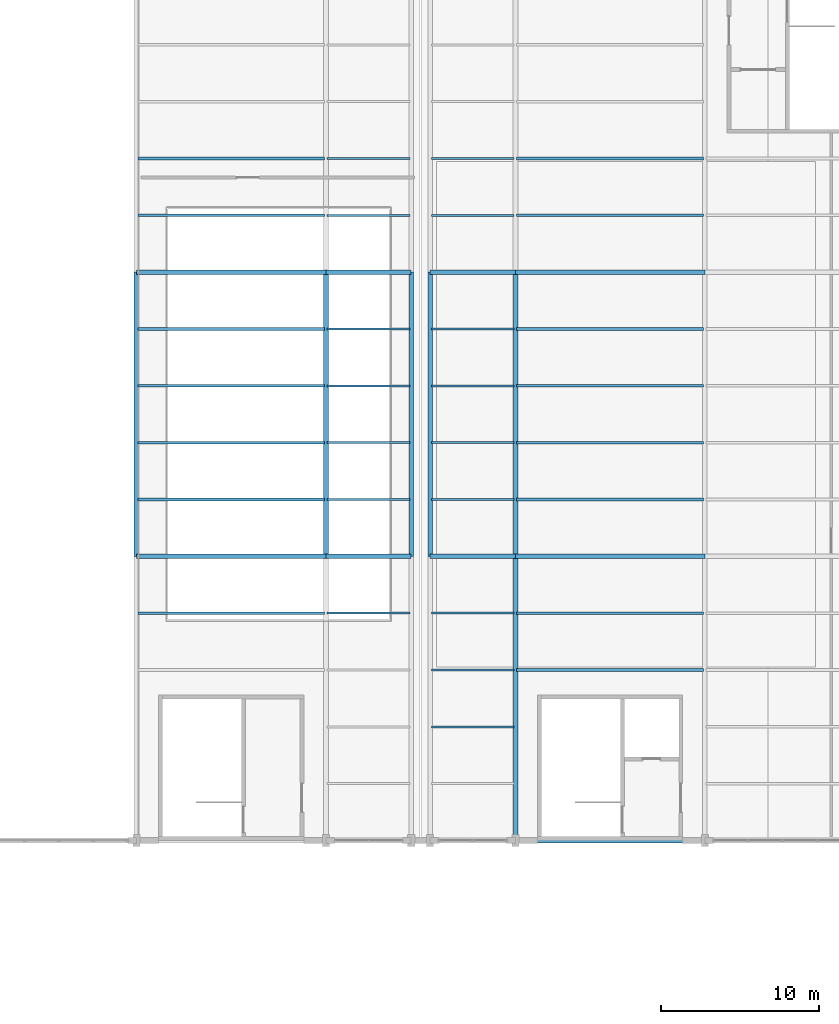
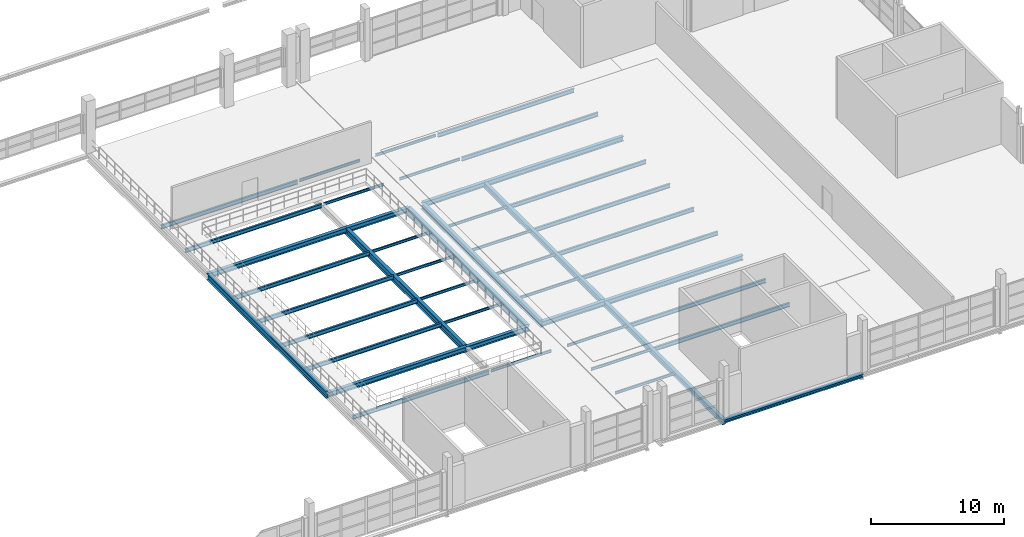
# One storey, part 34 of 86: 46 beams.
"""IFC4 building model written with IfcOpenShell, lengths in metres."""

from ifc_helpers import new_model, si_unit, direction, frame, origin, origin_2d, place, context, subcontext, project, spatial, i_section, extrude, material, material_profile, profile_set, type_object, element, save


model = new_model("IFC4")

# Units and contexts
model_context = context("Model", 3, precision=1e-05, world=origin(), true_north=direction((0.0, 1.0)))
body_context = subcontext(model_context, "Body", "Model", "MODEL_VIEW")
ifc_project = project(units=[si_unit("LENGTHUNIT", "METRE"), si_unit("AREAUNIT", "SQUARE_METRE"), si_unit("VOLUMEUNIT", "CUBIC_METRE"), si_unit("PLANEANGLEUNIT", "RADIAN"), si_unit("MASSUNIT", "GRAM", prefix="KILO")], contexts=[model_context])

# Site, building, storey
site_placement = place(None, origin())
site = spatial("IfcSite", under=ifc_project, at=site_placement, CompositionType="ELEMENT")
building_placement = place(site_placement, origin())
building = spatial("IfcBuilding", under=site, at=building_placement, Name="Zilviju Railside Exhibition Hall", CompositionType="ELEMENT")
storey_placement = place(building_placement, frame((0.0, 0.0, 12.60009765625)))
storey = spatial("IfcBuildingStorey", under=building, at=storey_placement, Name="L04", CompositionType="ELEMENT", Elevation=12.60009765625)

# Beams
ifc_material = material(Name="Steel S355J2", Category="steel")
ifc_material_profile_1 = material_profile(ifc_material, i_section(OverallWidth=0.300048828125, OverallDepth=0.2900390625, WebThickness=0.008544921875, FlangeThickness=0.013916015625, at=origin_2d()), Name="HEA 300")
ifc_profile_set_1 = profile_set([ifc_material_profile_1], Name="Steel S355J2")
beam_type_1 = type_object("IfcBeamType", Name="BM-HEA300", PredefinedType="SPANDREL", material=ifc_profile_set_1)
beam_1_placement = place(storey_placement, frame((180.0, 84.0, -0.47509765625), z_axis=(1.0, 0.0, 0.0), x_axis=(0.0, 1.0, 0.0)))
element("IfcBeam", 1, at=beam_1_placement, inside=storey, type_object=beam_type_1, Name="Primary Girder L04 Y=84.0 (180.0..192.0)", PredefinedType="SPANDREL", context=body_context, shape_type="SweptSolid", body=[
    extrude(i_section(OverallWidth=0.300048828125, OverallDepth=0.2900390625, WebThickness=0.008544921875, FlangeThickness=0.013916015625, at=origin_2d()), origin(), (0.0, 0.0, 1.0), 12.0),
])
ifc_material_profile_2 = material_profile(ifc_material, i_section(OverallWidth=0.300048828125, OverallDepth=0.43994140625, WebThickness=0.011474609375, FlangeThickness=0.02099609375, at=origin_2d()), Name="HEA 450")
ifc_profile_set_2 = profile_set([ifc_material_profile_2], Name="Steel S355J2")
beam_type_2 = type_object("IfcBeamType", Name="BM-HEA450", PredefinedType="BEAM", material=ifc_profile_set_2)
beam_2_placement = place(storey_placement, frame((156.0, 102.0, -0.550048828125), z_axis=(1.0, 0.0, 0.0), x_axis=(0.0, 1.0, 0.0)))
element("IfcBeam", 2, at=beam_2_placement, inside=storey, type_object=beam_type_2, Name="Primary Girder L04 Y=102.0 (156.0..168.0)", PredefinedType="BEAM", context=body_context, shape_type="SweptSolid", body=[
    extrude(i_section(OverallWidth=0.300048828125, OverallDepth=0.43994140625, WebThickness=0.011474609375, FlangeThickness=0.02099609375, at=origin_2d()), origin(), (0.0, 0.0, 1.0), 12.0),
])
for number, where, z_axis, x_axis, name in (
    (3, (168.0, 102.0, -0.550048828125), (1.0, 0.0, 0.0), (0.0, 1.0, 0.0), "Primary Girder L04 Y=102.0 (168.0..173.4)"),
    (4, (174.60009765625, 102.0, -0.550048828125), (1.0, 0.0, 0.0), (0.0, 1.0, 0.0), "Primary Girder L04 Y=102.0 (174.6..180.0)"),
):
    element("IfcBeam", number, at=place(storey_placement, frame(where, z_axis=z_axis, x_axis=x_axis)), inside=storey, type_object=beam_type_2, Name=name, PredefinedType="BEAM", context=body_context, shape_type="SweptSolid", body=[
        extrude(i_section(OverallWidth=0.300048828125, OverallDepth=0.43994140625, WebThickness=0.011474609375, FlangeThickness=0.02099609375, at=origin_2d()), origin(), (0.0, 0.0, 1.0), 5.39990234375),
    ])
for number, where, z_axis, x_axis, name in (
    (5, (180.0, 102.0, -0.550048828125), (1.0, 0.0, 0.0), (0.0, 1.0, 0.0), "Primary Girder L04 Y=102.0 (180.0..192.0)"),
    (6, (156.0, 120.0, -0.550048828125), (1.0, 0.0, 0.0), (0.0, 1.0, 0.0), "Primary Girder L04 Y=120.0 (156.0..168.0)"),
):
    element("IfcBeam", number, at=place(storey_placement, frame(where, z_axis=z_axis, x_axis=x_axis)), inside=storey, type_object=beam_type_2, Name=name, PredefinedType="BEAM", context=body_context, shape_type="SweptSolid", body=[
        extrude(i_section(OverallWidth=0.300048828125, OverallDepth=0.43994140625, WebThickness=0.011474609375, FlangeThickness=0.02099609375, at=origin_2d()), origin(), (0.0, 0.0, 1.0), 12.0),
    ])
for number, where, z_axis, x_axis, name in (
    (7, (168.0, 120.0, -0.550048828125), (1.0, 0.0, 0.0), (0.0, 1.0, 0.0), "Primary Girder L04 Y=120.0 (168.0..173.4)"),
    (8, (174.60009765625, 120.0, -0.550048828125), (1.0, 0.0, 0.0), (0.0, 1.0, 0.0), "Primary Girder L04 Y=120.0 (174.6..180.0)"),
):
    element("IfcBeam", number, at=place(storey_placement, frame(where, z_axis=z_axis, x_axis=x_axis)), inside=storey, type_object=beam_type_2, Name=name, PredefinedType="BEAM", context=body_context, shape_type="SweptSolid", body=[
        extrude(i_section(OverallWidth=0.300048828125, OverallDepth=0.43994140625, WebThickness=0.011474609375, FlangeThickness=0.02099609375, at=origin_2d()), origin(), (0.0, 0.0, 1.0), 5.39990234375),
    ])
beam_3_placement = place(storey_placement, frame((180.0, 120.0, -0.550048828125), z_axis=(1.0, 0.0, 0.0), x_axis=(0.0, 1.0, 0.0)))
element("IfcBeam", 9, at=beam_3_placement, inside=storey, type_object=beam_type_2, Name="Primary Girder L04 Y=120.0 (180.0..192.0)", PredefinedType="BEAM", context=body_context, shape_type="SweptSolid", body=[
    extrude(i_section(OverallWidth=0.300048828125, OverallDepth=0.43994140625, WebThickness=0.011474609375, FlangeThickness=0.02099609375, at=origin_2d()), origin(), (0.0, 0.0, 1.0), 12.0),
])
ifc_material_profile_3 = material_profile(ifc_material, i_section(OverallWidth=0.300048828125, OverallDepth=0.5, WebThickness=0.014404296875, FlangeThickness=0.028076171875, at=origin_2d()), Name="HEB 500")
ifc_profile_set_3 = profile_set([ifc_material_profile_3], Name="Steel S355J2")
beam_type_3 = type_object("IfcBeamType", Name="BM-HEB500", PredefinedType="BEAM", material=ifc_profile_set_3)
for number, where, z_axis, x_axis, name in (
    (10, (180.0, 84.0, -0.580078125), (0.0, 1.0, 0.0), (-1.0, 0.0, 0.0), "Transverse Girder L04 X=180.0 (84.0..102.0)"),
    (11, (180.0, 102.0, -0.580078125), (0.0, 1.0, 0.0), (-1.0, 0.0, 0.0), "Transverse Girder L04 X=180.0 (102.0..120.0)"),
):
    element("IfcBeam", number, at=place(storey_placement, frame(where, z_axis=z_axis, x_axis=x_axis)), inside=storey, type_object=beam_type_3, Name=name, PredefinedType="BEAM", context=body_context, shape_type="SweptSolid", body=[
        extrude(i_section(OverallWidth=0.300048828125, OverallDepth=0.5, WebThickness=0.014404296875, FlangeThickness=0.028076171875, at=origin_2d()), origin(), (0.0, 0.0, 1.0), 18.0),
    ])
ifc_material_profile_4 = material_profile(ifc_material, i_section(OverallWidth=0.300048828125, OverallDepth=0.60009765625, WebThickness=0.015380859375, FlangeThickness=0.030029296875, at=origin_2d()), Name="HEB 600")
ifc_profile_set_4 = profile_set([ifc_material_profile_4], Name="Steel S355J2")
beam_type_4 = type_object("IfcBeamType", Name="BM-HEB600", PredefinedType="BEAM", material=ifc_profile_set_4)
for number, where, z_axis, x_axis, name in (
    (12, (156.0, 102.0, -0.630126953125), (0.0, 1.0, 0.0), (-1.0, 0.0, 0.0), "Transverse Girder L04 X=156.0 (102.0..120.0)"),
    (13, (168.0, 102.0, -0.630126953125), (0.0, 1.0, 0.0), (-1.0, 0.0, 0.0), "Transverse Girder L04 X=168.0 (102.0..120.0)"),
    (14, (173.39990234375, 102.0, -0.630126953125), (0.0, 1.0, 0.0), (-1.0, 0.0, 0.0), "Transverse Girder L04 X=173.4 (102.0..120.0)"),
    (15, (174.60009765625, 102.0, -0.630126953125), (0.0, 1.0, 0.0), (-1.0, 0.0, 0.0), "Transverse Girder L04 X=174.6 (102.0..120.0)"),
):
    element("IfcBeam", number, at=place(storey_placement, frame(where, z_axis=z_axis, x_axis=x_axis)), inside=storey, type_object=beam_type_4, Name=name, PredefinedType="BEAM", context=body_context, shape_type="SweptSolid", body=[
        extrude(i_section(OverallWidth=0.300048828125, OverallDepth=0.60009765625, WebThickness=0.015380859375, FlangeThickness=0.030029296875, at=origin_2d()), origin(), (0.0, 0.0, 1.0), 18.0),
    ])
ifc_material_profile_5 = material_profile(ifc_material, i_section(OverallWidth=0.1201171875, OverallDepth=0.239990234375, WebThickness=0.006103515625, FlangeThickness=0.009765625, at=origin_2d()), Name="IPE 240")
ifc_profile_set_5 = profile_set([ifc_material_profile_5], Name="Steel S355J2")
beam_type_5 = type_object("IfcBeamType", Name="BM-IPE240", PredefinedType="JOIST", material=ifc_profile_set_5)
for number, where, z_axis, x_axis, name in (
    (16, (168.080078125, 98.39990234375, -0.4501953125), (1.0, 0.0, 0.0), (0.0, 1.0, 0.0), "Composite Floor Joist L04 Y=98.40 (168.0..173.4)"),
    (17, (168.080078125, 105.60009765625, -0.4501953125), (1.0, 0.0, 0.0), (0.0, 1.0, 0.0), "Composite Floor Joist L04 Y=105.60 (168.0..173.4)"),
    (18, (168.080078125, 109.199951171875, -0.4501953125), (1.0, 0.0, 0.0), (0.0, 1.0, 0.0), "Composite Floor Joist L04 Y=109.20 (168.0..173.4)"),
    (19, (168.080078125, 112.800048828125, -0.4501953125), (1.0, 0.0, 0.0), (0.0, 1.0, 0.0), "Composite Floor Joist L04 Y=112.80 (168.0..173.4)"),
    (20, (168.080078125, 116.39990234375, -0.4501953125), (1.0, 0.0, 0.0), (0.0, 1.0, 0.0), "Composite Floor Joist L04 Y=116.40 (168.0..173.4)"),
    (21, (168.080078125, 123.60009765625, -0.4501953125), (1.0, 0.0, 0.0), (0.0, 1.0, 0.0), "Composite Floor Joist L04 Y=123.60 (168.0..173.4)"),
    (22, (168.080078125, 127.199951171875, -0.4501953125), (1.0, 0.0, 0.0), (0.0, 1.0, 0.0), "Composite Floor Joist L04 Y=127.20 (168.0..173.4)"),
    (23, (174.679931640625, 91.199951171875, -0.4501953125), (1.0, 0.0, 0.0), (0.0, 1.0, 0.0), "Composite Floor Joist L04 Y=91.20 (174.6..180.0)"),
    (24, (174.679931640625, 94.800048828125, -0.4501953125), (1.0, 0.0, 0.0), (0.0, 1.0, 0.0), "Composite Floor Joist L04 Y=94.80 (174.6..180.0)"),
    (25, (174.679931640625, 98.39990234375, -0.4501953125), (1.0, 0.0, 0.0), (0.0, 1.0, 0.0), "Composite Floor Joist L04 Y=98.40 (174.6..180.0)"),
    (26, (174.679931640625, 105.60009765625, -0.4501953125), (1.0, 0.0, 0.0), (0.0, 1.0, 0.0), "Composite Floor Joist L04 Y=105.60 (174.6..180.0)"),
    (27, (174.679931640625, 109.199951171875, -0.4501953125), (1.0, 0.0, 0.0), (0.0, 1.0, 0.0), "Composite Floor Joist L04 Y=109.20 (174.6..180.0)"),
    (28, (174.679931640625, 112.800048828125, -0.4501953125), (1.0, 0.0, 0.0), (0.0, 1.0, 0.0), "Composite Floor Joist L04 Y=112.80 (174.6..180.0)"),
    (29, (174.679931640625, 116.39990234375, -0.4501953125), (1.0, 0.0, 0.0), (0.0, 1.0, 0.0), "Composite Floor Joist L04 Y=116.40 (174.6..180.0)"),
    (30, (174.679931640625, 123.60009765625, -0.4501953125), (1.0, 0.0, 0.0), (0.0, 1.0, 0.0), "Composite Floor Joist L04 Y=123.60 (174.6..180.0)"),
    (31, (174.679931640625, 127.199951171875, -0.4501953125), (1.0, 0.0, 0.0), (0.0, 1.0, 0.0), "Composite Floor Joist L04 Y=127.20 (174.6..180.0)"),
):
    element("IfcBeam", number, at=place(storey_placement, frame(where, z_axis=z_axis, x_axis=x_axis)), inside=storey, type_object=beam_type_5, Name=name, PredefinedType="JOIST", context=body_context, shape_type="SweptSolid", body=[
        extrude(i_section(OverallWidth=0.1201171875, OverallDepth=0.239990234375, WebThickness=0.006103515625, FlangeThickness=0.009765625, at=origin_2d()), origin(), (0.0, 0.0, 1.0), 5.239990234375),
    ])
ifc_material_profile_6 = material_profile(ifc_material, i_section(OverallWidth=0.169921875, OverallDepth=0.360107421875, WebThickness=0.008056640625, FlangeThickness=0.0126953125, at=origin_2d()), Name="IPE 360")
ifc_profile_set_6 = profile_set([ifc_material_profile_6], Name="Steel S355J2")
beam_type_6 = type_object("IfcBeamType", Name="BM-IPE360", PredefinedType="JOIST", material=ifc_profile_set_6)
for number, where, z_axis, x_axis, name in (
    (32, (156.080078125, 98.39990234375, -0.510009765625), (1.0, 0.0, 0.0), (0.0, 1.0, 0.0), "Composite Floor Joist L04 Y=98.40 (156.0..168.0)"),
    (33, (156.080078125, 105.60009765625, -0.510009765625), (1.0, 0.0, 0.0), (0.0, 1.0, 0.0), "Composite Floor Joist L04 Y=105.60 (156.0..168.0)"),
    (34, (156.080078125, 109.199951171875, -0.510009765625), (1.0, 0.0, 0.0), (0.0, 1.0, 0.0), "Composite Floor Joist L04 Y=109.20 (156.0..168.0)"),
    (35, (156.080078125, 112.800048828125, -0.510009765625), (1.0, 0.0, 0.0), (0.0, 1.0, 0.0), "Composite Floor Joist L04 Y=112.80 (156.0..168.0)"),
    (36, (156.080078125, 116.39990234375, -0.510009765625), (1.0, 0.0, 0.0), (0.0, 1.0, 0.0), "Composite Floor Joist L04 Y=116.40 (156.0..168.0)"),
    (37, (156.080078125, 123.60009765625, -0.510009765625), (1.0, 0.0, 0.0), (0.0, 1.0, 0.0), "Composite Floor Joist L04 Y=123.60 (156.0..168.0)"),
    (38, (156.080078125, 127.199951171875, -0.510009765625), (1.0, 0.0, 0.0), (0.0, 1.0, 0.0), "Composite Floor Joist L04 Y=127.20 (156.0..168.0)"),
    (39, (180.080078125, 94.800048828125, -0.510009765625), (1.0, 0.0, 0.0), (0.0, 1.0, 0.0), "Composite Floor Joist L04 Y=94.80 (180.0..192.0)"),
    (40, (180.080078125, 98.39990234375, -0.510009765625), (1.0, 0.0, 0.0), (0.0, 1.0, 0.0), "Composite Floor Joist L04 Y=98.40 (180.0..192.0)"),
    (41, (180.080078125, 105.60009765625, -0.510009765625), (1.0, 0.0, 0.0), (0.0, 1.0, 0.0), "Composite Floor Joist L04 Y=105.60 (180.0..192.0)"),
    (42, (180.080078125, 109.199951171875, -0.510009765625), (1.0, 0.0, 0.0), (0.0, 1.0, 0.0), "Composite Floor Joist L04 Y=109.20 (180.0..192.0)"),
    (43, (180.080078125, 112.800048828125, -0.510009765625), (1.0, 0.0, 0.0), (0.0, 1.0, 0.0), "Composite Floor Joist L04 Y=112.80 (180.0..192.0)"),
    (44, (180.080078125, 116.39990234375, -0.510009765625), (1.0, 0.0, 0.0), (0.0, 1.0, 0.0), "Composite Floor Joist L04 Y=116.40 (180.0..192.0)"),
    (45, (180.080078125, 123.60009765625, -0.510009765625), (1.0, 0.0, 0.0), (0.0, 1.0, 0.0), "Composite Floor Joist L04 Y=123.60 (180.0..192.0)"),
    (46, (180.080078125, 127.199951171875, -0.510009765625), (1.0, 0.0, 0.0), (0.0, 1.0, 0.0), "Composite Floor Joist L04 Y=127.20 (180.0..192.0)"),
):
    element("IfcBeam", number, at=place(storey_placement, frame(where, z_axis=z_axis, x_axis=x_axis)), inside=storey, type_object=beam_type_6, Name=name, PredefinedType="JOIST", context=body_context, shape_type="SweptSolid", body=[
        extrude(i_section(OverallWidth=0.169921875, OverallDepth=0.360107421875, WebThickness=0.008056640625, FlangeThickness=0.0126953125, at=origin_2d()), origin(), (0.0, 0.0, 1.0), 11.83984375),
    ])

save(model, "model.ifc")
